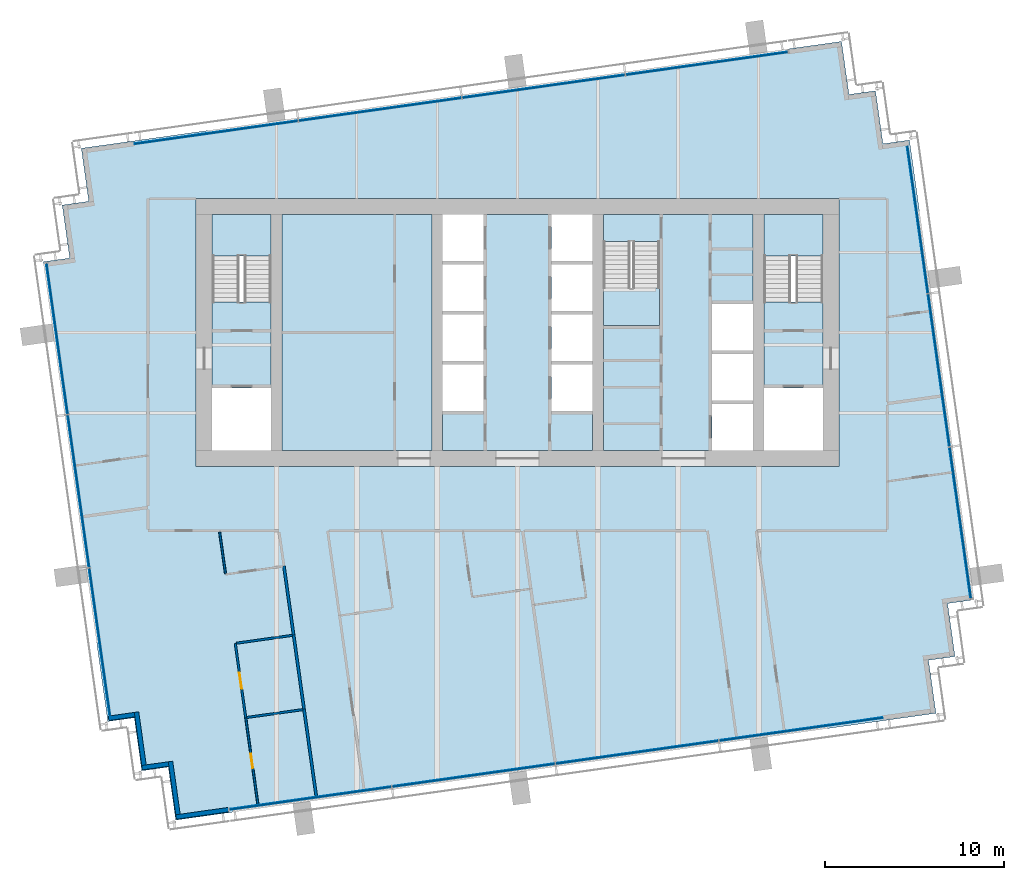
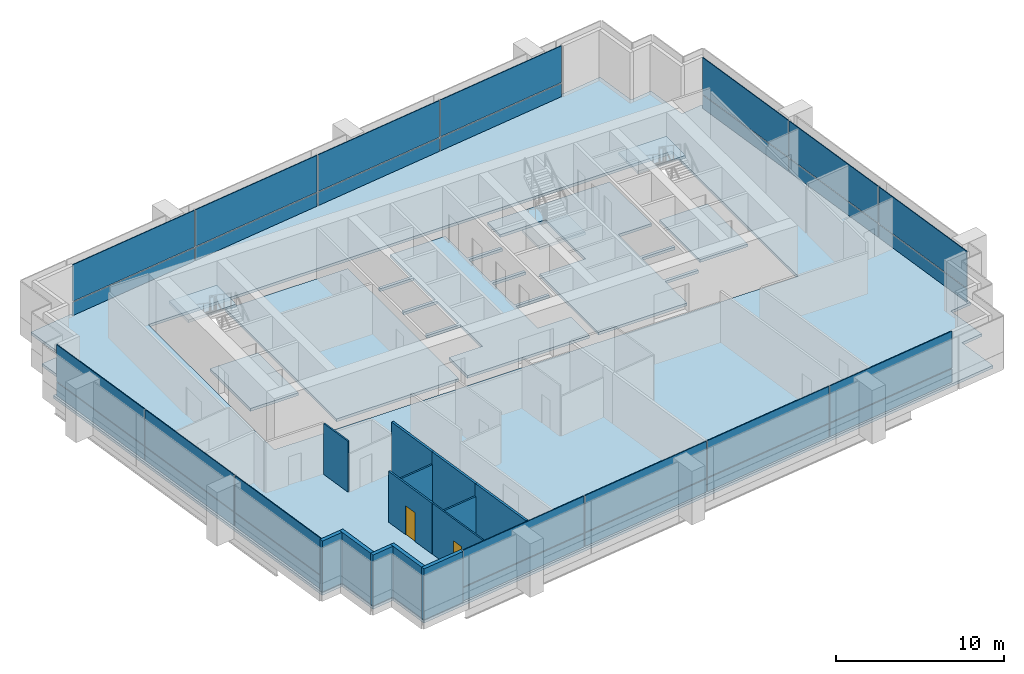
# One storey, part 7 of 15: 28 plates, 13 walls, 9 slabs, 2 doors, 2 openings, 7 elements without a shape of their own.
"""IFC4 building model written with IfcOpenShell, lengths in metres."""

from ifc_helpers import new_model, si_unit, direction, frame, frame_2d, origin, origin_2d, place, context, subcontext, project, spatial, polyline, rectangle, outline, extrude, material, layer, layer_set, type_object, element, fill, aggregate, save


model = new_model("IFC4")

# Units and contexts
model_context = context("Model", 3, precision=1e-05, world=origin(), true_north=direction((0.0, 1.0)))
body_context = subcontext(model_context, "Body", "Model", "MODEL_VIEW")
ifc_project = project(units=[si_unit("LENGTHUNIT", "METRE"), si_unit("AREAUNIT", "SQUARE_METRE"), si_unit("VOLUMEUNIT", "CUBIC_METRE"), si_unit("PLANEANGLEUNIT", "RADIAN"), si_unit("MASSUNIT", "GRAM", prefix="KILO")], contexts=[model_context])

# Site, building, storey
site_placement = place(None, origin())
site = spatial("IfcSite", under=ifc_project, at=site_placement, CompositionType="ELEMENT")
building_placement = place(site_placement, origin())
building = spatial("IfcBuilding", under=site, at=building_placement, Name="Rattan Terrace Tower", CompositionType="ELEMENT")
storey_placement = place(building_placement, frame((0.0, 0.0, 274.60009765625)))
storey = spatial("IfcBuildingStorey", under=building, at=storey_placement, Name="L63", CompositionType="ELEMENT", Elevation=274.60009765625)

# Stair, slab
ifc_material_1 = material(Name="Concrete C40/50", Category="concrete")
stair_type = type_object("IfcStairType", Name="Core exit stair 1500", PredefinedType="HALF_TURN_STAIR", material=ifc_material_1)
stair_1_placement = place(storey_placement, origin())
stair_1 = element("IfcStair", 1, at=stair_1_placement, inside=storey, type_object=stair_type, Name="L63 exit stair 1", PredefinedType="HALF_TURN_STAIR")
ifc_material_2 = material(Name="Concrete C40/50", Category="concrete")
ifc_layer_1 = layer(ifc_material_2, 0.199951171875)
ifc_layer_set_1 = layer_set([ifc_layer_1], Name="Core exit stair landing")
slab_type_1 = type_object("IfcSlabType", Name="Core exit stair landing", PredefinedType="LANDING", material=ifc_layer_set_1)
slab_1_placement = place(storey_placement, frame((0.0, 0.0, 1.75)))
slab_1 = element("IfcSlab", 2, at=slab_1_placement, type_object=slab_type_1, Name="S1 landing 1", PredefinedType="LANDING", context=body_context, shape_type="SweptSolid", body=[
    extrude(outline(polyline([(-13.800048828125, 4.300048828125), (-13.800048828125, 6.60009765625), (-17.10009765625, 6.60009765625), (-17.10009765625, 4.300048828125), (-13.800048828125, 4.300048828125)])), origin(), (0.0, 0.0, 1.0), 0.199951171875),
])
aggregate(stair_1, [slab_1])

stair_2_placement = place(storey_placement, origin())
stair_2 = element("IfcStair", 3, at=stair_2_placement, inside=storey, type_object=stair_type, Name="L63 exit stair 2", PredefinedType="HALF_TURN_STAIR")
slab_2_placement = place(storey_placement, frame((0.0, 0.0, 1.75)))
slab_2 = element("IfcSlab", 4, at=slab_2_placement, type_object=slab_type_1, Name="S2 landing 1", PredefinedType="LANDING", context=body_context, shape_type="SweptSolid", body=[
    extrude(outline(polyline([(17.10009765625, 4.300048828125), (17.10009765625, 6.60009765625), (13.800048828125, 6.60009765625), (13.800048828125, 4.300048828125), (17.10009765625, 4.300048828125)])), origin(), (0.0, 0.0, 1.0), 0.199951171875),
])
aggregate(stair_2, [slab_2])

stair_3_placement = place(storey_placement, origin())
stair_3 = element("IfcStair", 5, at=stair_3_placement, inside=storey, type_object=stair_type, Name="L63 exit stair 3", PredefinedType="HALF_TURN_STAIR")
slab_3_placement = place(storey_placement, frame((0.0, 0.0, 1.75)))
slab_3 = element("IfcSlab", 6, at=slab_3_placement, type_object=slab_type_1, Name="S3 landing 1", PredefinedType="LANDING", context=body_context, shape_type="SweptSolid", body=[
    extrude(outline(polyline([(4.800048828125, 2.5), (4.800048828125, 0.39990234375), (7.949951171875, 0.39990234375), (7.949951171875, 2.5), (4.800048828125, 2.5)])), origin(), (0.0, 0.0, 1.0), 0.199951171875),
])
aggregate(stair_3, [slab_3])

# Slabs
ifc_material_3 = material(Name="Concrete C35/45", Category="concrete")
ifc_layer_2 = layer(ifc_material_3, 0.199951171875)
ifc_layer_set_2 = layer_set([ifc_layer_2], Name="Frame composite floor slab 200")
slab_type_2 = type_object("IfcSlabType", Name="Frame composite floor slab 200", PredefinedType="FLOOR", material=ifc_layer_set_2)
slab_4_placement = place(storey_placement, frame((0.0, 0.0, -0.2001953125)))
element("IfcSlab", 7, at=slab_4_placement, inside=storey, type_object=slab_type_2, Name="Floor slab", PredefinedType="FLOOR", context=body_context, shape_type="SweptSolid", body=[
    extrude(outline(polyline([(-16.176025390625, -26.889892578125), (20.464111328125, -21.739990234375), (23.43505859375, -21.322998046875), (23.01806640625, -18.35205078125), (24.5029296875, -18.14306640625), (24.0849609375, -15.173095703125), (25.571044921875, -14.964111328125), (21.951904296875, 10.782958984375), (20.467041015625, 10.573974609375), (20.049072265625, 13.544921875), (18.56396484375, 13.3369140625), (18.14599609375, 16.306884765625), (15.176025390625, 15.889892578125), (-21.464111328125, 10.739990234375), (-24.43505859375, 10.322998046875), (-24.01806640625, 7.35205078125), (-25.5029296875, 7.14306640625), (-25.0849609375, 4.173095703125), (-26.571044921875, 3.964111328125), (-22.951904296875, -21.782958984375), (-21.467041015625, -21.573974609375), (-21.049072265625, -24.544921875), (-19.56396484375, -24.3369140625), (-19.14599609375, -27.306884765625), (-16.176025390625, -26.889892578125)]), holes=[polyline([(-18.0, -7.5), (18.0, -7.5), (18.0, -6.60009765625), (18.0, 6.60009765625), (18.0, 7.5), (-18.0, 7.5), (-18.0, 6.60009765625), (-18.0, -6.60009765625), (-18.0, -7.5)])]), origin(), (0.0, 0.0, 1.0), 0.2001953125),
])
slab_5_placement = place(storey_placement, frame((0.0, 0.0, -0.2001953125)))
element("IfcSlab", 8, at=slab_5_placement, inside=storey, type_object=slab_type_2, Name="Floor slab", PredefinedType="FLOOR", context=body_context, shape_type="SweptSolid", body=[
    extrude(outline(polyline([(13.199951171875, 6.60009765625), (4.800048828125, 6.60009765625), (4.800048828125, 5.090087890625), (7.949951171875, 5.090087890625), (7.949951171875, 0.39990234375), (4.800048828125, 0.39990234375), (4.800048828125, -6.60009765625), (10.89990234375, -6.60009765625), (10.89990234375, -4.0), (13.199951171875, -4.0), (13.199951171875, -3.800048828125), (10.89990234375, -3.800048828125), (10.89990234375, -1.199951171875), (13.199951171875, -1.199951171875), (13.199951171875, -1.0), (10.89990234375, -1.0), (10.89990234375, 1.60009765625), (13.199951171875, 1.60009765625), (13.199951171875, 6.60009765625)])), origin(), (0.0, 0.0, 1.0), 0.2001953125),
])
slab_6_placement = place(storey_placement, frame((0.0, 0.0, -0.2001953125)))
element("IfcSlab", 9, at=slab_6_placement, inside=storey, type_object=slab_type_2, Name="Floor slab", PredefinedType="FLOOR", context=body_context, shape_type="SweptSolid", body=[
    extrude(outline(polyline([(1.89990234375, 6.60009765625), (-1.89990234375, 6.60009765625), (-1.89990234375, 4.0), (-4.199951171875, 4.0), (-4.199951171875, 3.800048828125), (-1.89990234375, 3.800048828125), (-1.89990234375, 1.199951171875), (-4.199951171875, 1.199951171875), (-4.199951171875, 1.0), (-1.89990234375, 1.0), (-1.89990234375, -1.60009765625), (-4.199951171875, -1.60009765625), (-4.199951171875, -1.800048828125), (-1.89990234375, -1.800048828125), (-1.89990234375, -4.39990234375), (-4.199951171875, -4.39990234375), (-4.199951171875, -6.60009765625), (4.199951171875, -6.60009765625), (4.199951171875, -4.39990234375), (1.89990234375, -4.39990234375), (1.89990234375, -1.800048828125), (4.199951171875, -1.800048828125), (4.199951171875, -1.60009765625), (1.89990234375, -1.60009765625), (1.89990234375, 1.0), (4.199951171875, 1.0), (4.199951171875, 1.199951171875), (1.89990234375, 1.199951171875), (1.89990234375, 3.800048828125), (4.199951171875, 3.800048828125), (4.199951171875, 4.0), (1.89990234375, 4.0), (1.89990234375, 6.60009765625)])), origin(), (0.0, 0.0, 1.0), 0.2001953125),
])
slab_7_placement = place(storey_placement, frame((0.0, 0.0, -0.2001953125)))
element("IfcSlab", 10, at=slab_7_placement, inside=storey, type_object=slab_type_2, Name="Floor slab", PredefinedType="FLOOR", context=body_context, shape_type="SweptSolid", body=[
    extrude(outline(polyline([(-17.10009765625, -3.10009765625), (-13.800048828125, -3.10009765625), (-13.800048828125, 1.7099609375), (-17.10009765625, 1.7099609375), (-17.10009765625, -3.10009765625)])), origin(), (0.0, 0.0, 1.0), 0.2001953125),
])
slab_8_placement = place(storey_placement, frame((0.0, 0.0, -0.2001953125)))
element("IfcSlab", 11, at=slab_8_placement, inside=storey, type_object=slab_type_2, Name="Floor slab", PredefinedType="FLOOR", context=body_context, shape_type="SweptSolid", body=[
    extrude(outline(polyline([(-4.800048828125, -6.60009765625), (-4.800048828125, 6.60009765625), (-13.199951171875, 6.60009765625), (-13.199951171875, -6.60009765625), (-4.800048828125, -6.60009765625)])), origin(), (0.0, 0.0, 1.0), 0.2001953125),
])
slab_9_placement = place(storey_placement, frame((0.0, 0.0, -0.2001953125)))
element("IfcSlab", 12, at=slab_9_placement, inside=storey, type_object=slab_type_2, Name="Floor slab", PredefinedType="FLOOR", context=body_context, shape_type="SweptSolid", body=[
    extrude(outline(polyline([(13.800048828125, -3.10009765625), (17.10009765625, -3.10009765625), (17.10009765625, 1.7099609375), (13.800048828125, 1.7099609375), (13.800048828125, -3.10009765625)])), origin(), (0.0, 0.0, 1.0), 0.2001953125),
])

# Curtain wall, plates
ifc_material_4 = material(Name="Aluminium and laminated glass", Category="aluminium")
ifc_layer_3 = layer(ifc_material_4, 0.199951171875)
ifc_layer_set_3 = layer_set([ifc_layer_3], Name="High-Zone Unitised Curtain Wall")
curtain_wall_type = type_object("IfcCurtainWallType", Name="High-Zone Unitised Curtain Wall", PredefinedType="NOTDEFINED", material=ifc_layer_set_3)
curtain_wall_1_placement = place(storey_placement, origin())
curtain_wall_1 = element("IfcCurtainWall", 13, at=curtain_wall_1_placement, inside=storey, type_object=curtain_wall_type, Name="High-zone curtain wall L63-1", PredefinedType="NOTDEFINED")
ifc_material_5 = material(Name="Aluminium insulated spandrel panel", Category="aluminium")
ifc_layer_4 = layer(ifc_material_5, 0.050048828125)
ifc_layer_set_4 = layer_set([ifc_layer_4], Name="High-Zone CW Spandrel Panel")
plate_type_1 = type_object("IfcPlateType", Name="High-Zone CW Spandrel Panel", PredefinedType="CURTAIN_PANEL", material=ifc_layer_set_4)
plate_1_placement = place(storey_placement, frame((24.7939453125, -10.65673828125, 0.0), z_axis=(0.0, 0.0, 1.0), x_axis=(-0.139191775431, 0.990265444036, 0.0)))
plate_1 = element("IfcPlate", 14, at=plate_1_placement, type_object=plate_type_1, Name="Panel cwl-L63-001.1.1", PredefinedType="CURTAIN_PANEL", context=body_context, shape_type="SweptSolid", body=[
    extrude(rectangle(XDim=8.51708984375, YDim=0.050048828125, at=origin_2d()), origin(), (0.0, 0.0, 1.0), 0.965087890625),
])
plate_2_placement = place(storey_placement, frame((23.593017578125, -2.11376953125, 0.0), z_axis=(0.0, 0.0, 1.0), x_axis=(-0.139191775431, 0.990265444036, 0.0)))
plate_2 = element("IfcPlate", 15, at=plate_2_placement, type_object=plate_type_1, Name="Panel cwl-L63-001.2.1", PredefinedType="CURTAIN_PANEL", context=body_context, shape_type="SweptSolid", body=[
    extrude(rectangle(XDim=8.596923828125, YDim=0.050048828125, at=origin_2d()), origin(), (0.0, 0.0, 1.0), 0.965087890625),
])
plate_3_placement = place(storey_placement, frame((22.40478515625, 6.339599609375, 0.0), z_axis=(0.0, 0.0, 1.0), x_axis=(-0.139191775431, 0.990265444036, 0.0)))
plate_3 = element("IfcPlate", 16, at=plate_3_placement, type_object=plate_type_1, Name="Panel cwl-L63-001.3.1", PredefinedType="CURTAIN_PANEL", context=body_context, shape_type="SweptSolid", body=[
    extrude(rectangle(XDim=8.336181640625, YDim=0.050048828125, at=origin_2d()), origin(), (0.0, 0.0, 1.0), 0.965087890625),
])

curtain_wall_2_placement = place(storey_placement, origin())
curtain_wall_2 = element("IfcCurtainWall", 17, at=curtain_wall_2_placement, inside=storey, type_object=curtain_wall_type, Name="High-zone curtain wall L63-2", PredefinedType="NOTDEFINED")
plate_4_placement = place(storey_placement, frame((10.602783203125, 15.075439453125, 0.0), z_axis=(0.0, 0.0, 1.0), x_axis=(-0.990265894013, -0.139188574079, 0.0)))
plate_4 = element("IfcPlate", 18, at=plate_4_placement, type_object=plate_type_1, Name="Panel cwl-L63-002.1.1", PredefinedType="CURTAIN_PANEL", context=body_context, shape_type="SweptSolid", body=[
    extrude(rectangle(XDim=9.14404296875, YDim=0.050048828125, at=origin_2d()), origin(), (0.0, 0.0, 1.0), 0.965087890625),
])
plate_5_placement = place(storey_placement, frame((1.461181640625, 13.79052734375, 0.0), z_axis=(0.0, 0.0, 1.0), x_axis=(-0.990265894013, -0.139188574079, 0.0)))
plate_5 = element("IfcPlate", 19, at=plate_5_placement, type_object=plate_type_1, Name="Panel cwl-L63-002.2.1", PredefinedType="CURTAIN_PANEL", context=body_context, shape_type="SweptSolid", body=[
    extrude(rectangle(XDim=9.178955078125, YDim=0.050048828125, at=origin_2d()), origin(), (0.0, 0.0, 1.0), 0.965087890625),
])
plate_6_placement = place(storey_placement, frame((-7.69775390625, 12.503173828125, 0.0), z_axis=(0.0, 0.0, 1.0), x_axis=(-0.990265894013, -0.139188574079, 0.0)))
plate_6 = element("IfcPlate", 20, at=plate_6_placement, type_object=plate_type_1, Name="Panel cwl-L63-002.3.1", PredefinedType="CURTAIN_PANEL", context=body_context, shape_type="SweptSolid", body=[
    extrude(rectangle(XDim=9.178955078125, YDim=0.050048828125, at=origin_2d()), origin(), (0.0, 0.0, 1.0), 0.965087890625),
])
plate_7_placement = place(storey_placement, frame((-16.876220703125, 11.213134765625, 0.0), z_axis=(0.0, 0.0, 1.0), x_axis=(-0.990265894013, -0.139188574079, 0.0)))
plate_7 = element("IfcPlate", 21, at=plate_7_placement, type_object=plate_type_1, Name="Panel cwl-L63-002.4.1", PredefinedType="CURTAIN_PANEL", context=body_context, shape_type="SweptSolid", body=[
    extrude(rectangle(XDim=9.21826171875, YDim=0.050048828125, at=origin_2d()), origin(), (0.0, 0.0, 1.0), 0.965087890625),
])

curtain_wall_3_placement = place(storey_placement, origin())
curtain_wall_3 = element("IfcCurtainWall", 22, at=curtain_wall_3_placement, inside=storey, type_object=curtain_wall_type, Name="High-zone curtain wall L63-3", PredefinedType="NOTDEFINED")
plate_8_placement = place(storey_placement, frame((-25.7939453125, -0.34326171875, 0.0), z_axis=(0.0, 0.0, 1.0), x_axis=(0.139191775431, -0.990265444036, 0.0)))
plate_8 = element("IfcPlate", 23, at=plate_8_placement, type_object=plate_type_1, Name="Panel cwl-L63-003.1.1", PredefinedType="CURTAIN_PANEL", context=body_context, shape_type="SweptSolid", body=[
    extrude(rectangle(XDim=8.51708984375, YDim=0.050048828125, at=origin_2d()), origin(), (0.0, 0.0, 1.0), 0.965087890625),
])
plate_9_placement = place(storey_placement, frame((-24.593017578125, -8.88623046875, 0.0), z_axis=(0.0, 0.0, 1.0), x_axis=(0.139191775431, -0.990265444036, 0.0)))
plate_9 = element("IfcPlate", 24, at=plate_9_placement, type_object=plate_type_1, Name="Panel cwl-L63-003.2.1", PredefinedType="CURTAIN_PANEL", context=body_context, shape_type="SweptSolid", body=[
    extrude(rectangle(XDim=8.596923828125, YDim=0.050048828125, at=origin_2d()), origin(), (0.0, 0.0, 1.0), 0.965087890625),
])
plate_10_placement = place(storey_placement, frame((-23.40478515625, -17.339599609375, 0.0), z_axis=(0.0, 0.0, 1.0), x_axis=(0.139191775431, -0.990265444036, 0.0)))
plate_10 = element("IfcPlate", 25, at=plate_10_placement, type_object=plate_type_1, Name="Panel cwl-L63-003.3.1", PredefinedType="CURTAIN_PANEL", context=body_context, shape_type="SweptSolid", body=[
    extrude(rectangle(XDim=8.336181640625, YDim=0.050048828125, at=origin_2d()), origin(), (0.0, 0.0, 1.0), 0.965087890625),
])

curtain_wall_4_placement = place(storey_placement, origin())
curtain_wall_4 = element("IfcCurtainWall", 26, at=curtain_wall_4_placement, inside=storey, type_object=curtain_wall_type, Name="High-zone curtain wall L63-4", PredefinedType="NOTDEFINED")
plate_11_placement = place(storey_placement, frame((-11.602783203125, -26.075439453125, 0.0), z_axis=(0.0, 0.0, 1.0), x_axis=(0.990265894013, 0.139188574079, 0.0)))
plate_11 = element("IfcPlate", 27, at=plate_11_placement, type_object=plate_type_1, Name="Panel cwl-L63-004.1.1", PredefinedType="CURTAIN_PANEL", context=body_context, shape_type="SweptSolid", body=[
    extrude(rectangle(XDim=9.14404296875, YDim=0.050048828125, at=origin_2d()), origin(), (0.0, 0.0, 1.0), 0.965087890625),
])
plate_12_placement = place(storey_placement, frame((-2.461181640625, -24.79052734375, 0.0), z_axis=(0.0, 0.0, 1.0), x_axis=(0.990265894013, 0.139188574079, 0.0)))
plate_12 = element("IfcPlate", 28, at=plate_12_placement, type_object=plate_type_1, Name="Panel cwl-L63-004.2.1", PredefinedType="CURTAIN_PANEL", context=body_context, shape_type="SweptSolid", body=[
    extrude(rectangle(XDim=9.178955078125, YDim=0.050048828125, at=origin_2d()), origin(), (0.0, 0.0, 1.0), 0.965087890625),
])
plate_13_placement = place(storey_placement, frame((6.69775390625, -23.503173828125, 0.0), z_axis=(0.0, 0.0, 1.0), x_axis=(0.990265894013, 0.139188574079, 0.0)))
plate_13 = element("IfcPlate", 29, at=plate_13_placement, type_object=plate_type_1, Name="Panel cwl-L63-004.3.1", PredefinedType="CURTAIN_PANEL", context=body_context, shape_type="SweptSolid", body=[
    extrude(rectangle(XDim=9.178955078125, YDim=0.050048828125, at=origin_2d()), origin(), (0.0, 0.0, 1.0), 0.965087890625),
])
plate_14_placement = place(storey_placement, frame((15.876220703125, -22.213134765625, 0.0), z_axis=(0.0, 0.0, 1.0), x_axis=(0.990265894013, 0.139188574079, 0.0)))
plate_14 = element("IfcPlate", 30, at=plate_14_placement, type_object=plate_type_1, Name="Panel cwl-L63-004.4.1", PredefinedType="CURTAIN_PANEL", context=body_context, shape_type="SweptSolid", body=[
    extrude(rectangle(XDim=9.21826171875, YDim=0.050048828125, at=origin_2d()), origin(), (0.0, 0.0, 1.0), 0.965087890625),
])

# Plate
ifc_material_6 = material(Name="Laminated low-iron glass", Category="glass")
ifc_layer_5 = layer(ifc_material_6, 0.055908203125)
ifc_layer_set_5 = layer_set([ifc_layer_5], Name="High-Zone CW Vision Panel")
plate_type_2 = type_object("IfcPlateType", Name="High-Zone CW Vision Panel", PredefinedType="CURTAIN_PANEL", material=ifc_layer_set_5)
plate_15_placement = place(storey_placement, frame((24.7939453125, -10.65673828125, 1.034912109375), z_axis=(0.0, 0.0, 1.0), x_axis=(-0.139191775431, 0.990265444036, 0.0)))
plate_15 = element("IfcPlate", 31, at=plate_15_placement, type_object=plate_type_2, Name="Panel cwl-L63-001.1.2", PredefinedType="CURTAIN_PANEL", context=body_context, shape_type="SweptSolid", body=[
    extrude(rectangle(XDim=8.51708984375, YDim=0.055908203125, at=origin_2d()), origin(), (0.0, 0.0, 1.0), 2.6650390625),
])

plate_16_placement = place(storey_placement, frame((23.593017578125, -2.11376953125, 1.034912109375), z_axis=(0.0, 0.0, 1.0), x_axis=(-0.139191775431, 0.990265444036, 0.0)))
plate_16 = element("IfcPlate", 32, at=plate_16_placement, type_object=plate_type_2, Name="Panel cwl-L63-001.2.2", PredefinedType="CURTAIN_PANEL", context=body_context, shape_type="SweptSolid", body=[
    extrude(rectangle(XDim=8.596923828125, YDim=0.055908203125, at=origin_2d()), origin(), (0.0, 0.0, 1.0), 2.6650390625),
])

plate_17_placement = place(storey_placement, frame((22.40478515625, 6.339599609375, 1.034912109375), z_axis=(0.0, 0.0, 1.0), x_axis=(-0.139191775431, 0.990265444036, 0.0)))
plate_17 = element("IfcPlate", 33, at=plate_17_placement, type_object=plate_type_2, Name="Panel cwl-L63-001.3.2", PredefinedType="CURTAIN_PANEL", context=body_context, shape_type="SweptSolid", body=[
    extrude(rectangle(XDim=8.336181640625, YDim=0.055908203125, at=origin_2d()), origin(), (0.0, 0.0, 1.0), 2.6650390625),
])

aggregate(curtain_wall_1, [plate_1, plate_15, plate_2, plate_16, plate_3, plate_17])

plate_18_placement = place(storey_placement, frame((10.602783203125, 15.075439453125, 1.034912109375), z_axis=(0.0, 0.0, 1.0), x_axis=(-0.990265894013, -0.139188574079, 0.0)))
plate_18 = element("IfcPlate", 34, at=plate_18_placement, type_object=plate_type_2, Name="Panel cwl-L63-002.1.2", PredefinedType="CURTAIN_PANEL", context=body_context, shape_type="SweptSolid", body=[
    extrude(rectangle(XDim=9.14404296875, YDim=0.055908203125, at=origin_2d()), origin(), (0.0, 0.0, 1.0), 2.6650390625),
])

plate_19_placement = place(storey_placement, frame((1.461181640625, 13.79052734375, 1.034912109375), z_axis=(0.0, 0.0, 1.0), x_axis=(-0.990265894013, -0.139188574079, 0.0)))
plate_19 = element("IfcPlate", 35, at=plate_19_placement, type_object=plate_type_2, Name="Panel cwl-L63-002.2.2", PredefinedType="CURTAIN_PANEL", context=body_context, shape_type="SweptSolid", body=[
    extrude(rectangle(XDim=9.178955078125, YDim=0.055908203125, at=origin_2d()), origin(), (0.0, 0.0, 1.0), 2.6650390625),
])

plate_20_placement = place(storey_placement, frame((-7.69775390625, 12.503173828125, 1.034912109375), z_axis=(0.0, 0.0, 1.0), x_axis=(-0.990265894013, -0.139188574079, 0.0)))
plate_20 = element("IfcPlate", 36, at=plate_20_placement, type_object=plate_type_2, Name="Panel cwl-L63-002.3.2", PredefinedType="CURTAIN_PANEL", context=body_context, shape_type="SweptSolid", body=[
    extrude(rectangle(XDim=9.178955078125, YDim=0.055908203125, at=origin_2d()), origin(), (0.0, 0.0, 1.0), 2.6650390625),
])

plate_21_placement = place(storey_placement, frame((-16.876220703125, 11.213134765625, 1.034912109375), z_axis=(0.0, 0.0, 1.0), x_axis=(-0.990265894013, -0.139188574079, 0.0)))
plate_21 = element("IfcPlate", 37, at=plate_21_placement, type_object=plate_type_2, Name="Panel cwl-L63-002.4.2", PredefinedType="CURTAIN_PANEL", context=body_context, shape_type="SweptSolid", body=[
    extrude(rectangle(XDim=9.21826171875, YDim=0.055908203125, at=origin_2d()), origin(), (0.0, 0.0, 1.0), 2.6650390625),
])

aggregate(curtain_wall_2, [plate_4, plate_18, plate_5, plate_19, plate_6, plate_20, plate_7, plate_21])

plate_22_placement = place(storey_placement, frame((-25.7939453125, -0.34326171875, 1.034912109375), z_axis=(0.0, 0.0, 1.0), x_axis=(0.139191775431, -0.990265444036, 0.0)))
plate_22 = element("IfcPlate", 38, at=plate_22_placement, type_object=plate_type_2, Name="Panel cwl-L63-003.1.2", PredefinedType="CURTAIN_PANEL", context=body_context, shape_type="SweptSolid", body=[
    extrude(rectangle(XDim=8.51708984375, YDim=0.055908203125, at=origin_2d()), origin(), (0.0, 0.0, 1.0), 2.6650390625),
])

plate_23_placement = place(storey_placement, frame((-24.593017578125, -8.88623046875, 1.034912109375), z_axis=(0.0, 0.0, 1.0), x_axis=(0.139191775431, -0.990265444036, 0.0)))
plate_23 = element("IfcPlate", 39, at=plate_23_placement, type_object=plate_type_2, Name="Panel cwl-L63-003.2.2", PredefinedType="CURTAIN_PANEL", context=body_context, shape_type="SweptSolid", body=[
    extrude(rectangle(XDim=8.596923828125, YDim=0.055908203125, at=origin_2d()), origin(), (0.0, 0.0, 1.0), 2.6650390625),
])

plate_24_placement = place(storey_placement, frame((-23.40478515625, -17.339599609375, 1.034912109375), z_axis=(0.0, 0.0, 1.0), x_axis=(0.139191775431, -0.990265444036, 0.0)))
plate_24 = element("IfcPlate", 40, at=plate_24_placement, type_object=plate_type_2, Name="Panel cwl-L63-003.3.2", PredefinedType="CURTAIN_PANEL", context=body_context, shape_type="SweptSolid", body=[
    extrude(rectangle(XDim=8.336181640625, YDim=0.055908203125, at=origin_2d()), origin(), (0.0, 0.0, 1.0), 2.6650390625),
])

aggregate(curtain_wall_3, [plate_8, plate_22, plate_9, plate_23, plate_10, plate_24])

plate_25_placement = place(storey_placement, frame((-11.602783203125, -26.075439453125, 1.034912109375), z_axis=(0.0, 0.0, 1.0), x_axis=(0.990265894013, 0.139188574079, 0.0)))
plate_25 = element("IfcPlate", 41, at=plate_25_placement, type_object=plate_type_2, Name="Panel cwl-L63-004.1.2", PredefinedType="CURTAIN_PANEL", context=body_context, shape_type="SweptSolid", body=[
    extrude(rectangle(XDim=9.14404296875, YDim=0.055908203125, at=origin_2d()), origin(), (0.0, 0.0, 1.0), 2.6650390625),
])

plate_26_placement = place(storey_placement, frame((-2.461181640625, -24.79052734375, 1.034912109375), z_axis=(0.0, 0.0, 1.0), x_axis=(0.990265894013, 0.139188574079, 0.0)))
plate_26 = element("IfcPlate", 42, at=plate_26_placement, type_object=plate_type_2, Name="Panel cwl-L63-004.2.2", PredefinedType="CURTAIN_PANEL", context=body_context, shape_type="SweptSolid", body=[
    extrude(rectangle(XDim=9.178955078125, YDim=0.055908203125, at=origin_2d()), origin(), (0.0, 0.0, 1.0), 2.6650390625),
])

plate_27_placement = place(storey_placement, frame((6.69775390625, -23.503173828125, 1.034912109375), z_axis=(0.0, 0.0, 1.0), x_axis=(0.990265894013, 0.139188574079, 0.0)))
plate_27 = element("IfcPlate", 43, at=plate_27_placement, type_object=plate_type_2, Name="Panel cwl-L63-004.3.2", PredefinedType="CURTAIN_PANEL", context=body_context, shape_type="SweptSolid", body=[
    extrude(rectangle(XDim=9.178955078125, YDim=0.055908203125, at=origin_2d()), origin(), (0.0, 0.0, 1.0), 2.6650390625),
])

plate_28_placement = place(storey_placement, frame((15.876220703125, -22.213134765625, 1.034912109375), z_axis=(0.0, 0.0, 1.0), x_axis=(0.990265894013, 0.139188574079, 0.0)))
plate_28 = element("IfcPlate", 44, at=plate_28_placement, type_object=plate_type_2, Name="Panel cwl-L63-004.4.2", PredefinedType="CURTAIN_PANEL", context=body_context, shape_type="SweptSolid", body=[
    extrude(rectangle(XDim=9.21826171875, YDim=0.055908203125, at=origin_2d()), origin(), (0.0, 0.0, 1.0), 2.6650390625),
])

aggregate(curtain_wall_4, [plate_11, plate_25, plate_12, plate_26, plate_13, plate_27, plate_14, plate_28])

# Walls
ifc_material_7 = material(Name="Insulated aluminium-clad stud wall", Category="aluminium")
ifc_layer_6 = layer(ifc_material_7, 0.25)
ifc_layer_set_6 = layer_set([ifc_layer_6], Name="Facade Riser Wall 250")
wall_type_1 = type_object("IfcWallType", Name="Facade Riser Wall 250", PredefinedType="SOLIDWALL", material=ifc_layer_set_6)
wall_1_placement = place(storey_placement, frame((-22.90625, -21.60498046875, 0.0), z_axis=(0.0, 0.0, 1.0), x_axis=(0.990235520307, 0.13940449893, 0.0)))
element("IfcWall", 45, at=wall_1_placement, inside=storey, type_object=wall_type_1, Name="Riser wall L63-16", PredefinedType="SOLIDWALL", context=body_context, shape_type="SweptSolid", body=[
    extrude(rectangle(XDim=1.474609375, YDim=0.25, at=frame_2d((0.7373046875, 0.0))), origin(), (0.0, 0.0, 1.0), 3.699951171875),
])
wall_2_placement = place(storey_placement, frame((-21.33984375, -21.25830078125, 0.0), z_axis=(0.0, 0.0, 1.0), x_axis=(0.139393225799, -0.990237107263, 0.0)))
element("IfcWall", 46, at=wall_2_placement, inside=storey, type_object=wall_type_1, Name="Riser wall L63-17", PredefinedType="SOLIDWALL", context=body_context, shape_type="SweptSolid", body=[
    extrude(rectangle(XDim=3.000244140625, YDim=0.25, at=frame_2d((1.5, 0.0))), origin(), (0.0, 0.0, 1.0), 3.699951171875),
])
wall_3_placement = place(storey_placement, frame((-21.028076171875, -24.370361328125, 0.0), z_axis=(0.0, 0.0, 1.0), x_axis=(0.990330117064, 0.138730887823, 0.0)))
element("IfcWall", 47, at=wall_3_placement, inside=storey, type_object=wall_type_1, Name="Riser wall L63-18", PredefinedType="SOLIDWALL", context=body_context, shape_type="SweptSolid", body=[
    extrude(rectangle(XDim=1.499267578125, YDim=0.25, at=frame_2d((0.74951171875, 0.0))), origin(), (0.0, 0.0, 1.0), 3.699951171875),
])
wall_4_placement = place(storey_placement, frame((-19.436767578125, -24.021240234375, 0.0), z_axis=(0.0, 0.0, 1.0), x_axis=(0.139358350296, -0.990242015975, 0.0)))
element("IfcWall", 48, at=wall_4_placement, inside=storey, type_object=wall_type_1, Name="Riser wall L63-19", PredefinedType="SOLIDWALL", context=body_context, shape_type="SweptSolid", body=[
    extrude(rectangle(XDim=2.999267578125, YDim=0.25, at=frame_2d((1.49951171875, 0.0))), origin(), (0.0, 0.0, 1.0), 3.699951171875),
])
wall_5_placement = place(storey_placement, frame((-19.125244140625, -27.13232421875, 0.0), z_axis=(0.0, 0.0, 1.0), x_axis=(0.990291981483, 0.139002846771, 0.0)))
element("IfcWall", 49, at=wall_5_placement, inside=storey, type_object=wall_type_1, Name="Riser wall L63-20", PredefinedType="SOLIDWALL", context=body_context, shape_type="SweptSolid", body=[
    extrude(rectangle(XDim=2.9541015625, YDim=0.25, at=frame_2d((1.47705078125, 0.0))), origin(), (0.0, 0.0, 1.0), 3.699951171875),
])

# Wall, opening, door
ifc_material_8 = material(Name="Gypsum board partition on steel studs", Category="steel")
ifc_layer_7 = layer(ifc_material_8, 0.10009765625)
ifc_layer_set_7 = layer_set([ifc_layer_7], Name="Floors Partition 100")
wall_type_2 = type_object("IfcWallType", Name="Floors Partition 100", PredefinedType="PARTITIONING", material=ifc_layer_set_7)
wall_6_placement = place(storey_placement, frame((-15.221923828125, -21.5859375, 0.0), z_axis=(0.0, 0.0, 1.0), x_axis=(0.139120882778, -0.990275406124, 0.0)))
wall_6 = element("IfcWall", 50, at=wall_6_placement, inside=storey, type_object=wall_type_2, Name="pt-L63-026", PredefinedType="PARTITIONING", context=body_context, shape_type="SweptSolid", body=[
    extrude(rectangle(XDim=4.859375, YDim=0.10009765625, at=frame_2d((2.4296875, 0.0))), origin(), (0.0, 0.0, 1.0), 3.699951171875),
])
opening_1_placement = place(wall_6_placement, frame((2.030029296875, 0.0, 0.0)))
opening_1 = element("IfcOpeningElement", 51, at=opening_1_placement, cuts=wall_6, Name="Opening L63-D101", PredefinedType="OPENING", context=body_context, shape_type="SweptSolid", body=[
    extrude(rectangle(XDim=0.800048828125, YDim=2.10009765625, at=frame_2d((0.39990234375, 1.050048828125))), frame((0.0, 0.060546875, 0.0), z_axis=(0.0, -1.0, 0.0), x_axis=(1.0, 0.0, 0.0)), (0.0, 0.0, 1.0), 0.12109375),
])
ifc_material_9 = material(Name="Solid core timber door, painted", Category="wood")
door_type_1 = type_object("IfcDoorType", Name="Floors Store Door 800x2100", OperationType="NOTDEFINED", PredefinedType="DOOR", material=ifc_material_9)
door_1_placement = place(opening_1_placement, origin())
door_1 = element("IfcDoor", 52, at=door_1_placement, inside=storey, type_object=door_type_1, Name="d-L63-101", OperationType="SINGLE_SWING_RIGHT", OverallHeight=2.10009765625, OverallWidth=0.800048828125, PredefinedType="DOOR", context=body_context, shape_type="SweptSolid", body=[
    extrude(rectangle(XDim=0.800048828125, YDim=2.10009765625, at=frame_2d((0.39990234375, 1.050048828125))), frame((0.0, 0.02490234375, 0.0), z_axis=(0.0, -1.0, 0.0), x_axis=(1.0, 0.0, 0.0)), (0.0, 0.0, 1.0), 0.050048828125),
])
fill(opening_1, door_1)

# Walls
wall_7_placement = place(storey_placement, frame((-16.68701171875, -11.16796875, 0.0), z_axis=(0.0, 0.0, 1.0), x_axis=(0.139560302367, -0.990213573934, 0.0)))
element("IfcWall", 53, at=wall_7_placement, inside=storey, type_object=wall_type_2, Name="pt-L63-029", PredefinedType="PARTITIONING", context=body_context, shape_type="SweptSolid", body=[
    extrude(rectangle(XDim=2.35107421875, YDim=0.10009765625, at=frame_2d((1.175537109375, 0.0))), origin(), (0.0, 0.0, 1.0), 3.699951171875),
])
ifc_material_10 = material(Name="Gypsum board partition on steel studs, fire rated", Category="steel")
ifc_layer_8 = layer(ifc_material_10, 0.14990234375)
ifc_layer_set_8 = layer_set([ifc_layer_8], Name="Floors Tenancy Wall 150")
wall_type_3 = type_object("IfcWallType", Name="Floors Tenancy Wall 150", PredefinedType="PARTITIONING", material=ifc_layer_set_8)
wall_8_placement = place(storey_placement, frame((-12.5439453125, -16.927978515625, 0.0), z_axis=(0.0, 0.0, 1.0), x_axis=(-0.139221261089, 0.990261299083, 0.0)))
element("IfcWall", 54, at=wall_8_placement, inside=storey, type_object=wall_type_3, Name="pt-L63-003", PredefinedType="PARTITIONING", context=body_context, shape_type="SweptSolid", body=[
    extrude(rectangle(XDim=3.900146484375, YDim=0.14990234375, at=frame_2d((1.9501953125, 0.0))), origin(), (0.0, 0.0, 1.0), 3.699951171875),
])
wall_9_placement = place(storey_placement, frame((-11.278076171875, -25.93896484375, 0.0), z_axis=(0.0, 0.0, 1.0), x_axis=(-0.139167797017, 0.990268814148, 0.0)))
element("IfcWall", 55, at=wall_9_placement, inside=storey, type_object=wall_type_3, Name="pt-L63-004", PredefinedType="PARTITIONING", context=body_context, shape_type="SweptSolid", body=[
    extrude(rectangle(XDim=4.899658203125, YDim=0.14990234375, at=frame_2d((2.44970703125, 0.0))), origin(), (0.0, 0.0, 1.0), 3.699951171875),
])
wall_10_placement = place(storey_placement, frame((-11.9599609375, -21.0869140625, 0.0), z_axis=(0.0, 0.0, 1.0), x_axis=(-0.139052638616, 0.990284991148, 0.0)))
element("IfcWall", 56, at=wall_10_placement, inside=storey, type_object=wall_type_3, Name="pt-L63-005", PredefinedType="PARTITIONING", context=body_context, shape_type="SweptSolid", body=[
    extrude(rectangle(XDim=4.19970703125, YDim=0.14990234375, at=frame_2d((2.099853515625, 0.0))), origin(), (0.0, 0.0, 1.0), 3.699951171875),
])

# Wall, opening, door
ifc_material_11 = material(Name="Moisture resistant gypsum board partition on steel studs with service cavity", Category="steel")
ifc_layer_9 = layer(ifc_material_11, 0.1201171875)
ifc_layer_set_9 = layer_set([ifc_layer_9], Name="Floors Wet Wall 120")
wall_type_4 = type_object("IfcWallType", Name="Floors Wet Wall 120", PredefinedType="PARTITIONING", material=ifc_layer_set_9)
wall_11_placement = place(storey_placement, frame((-15.80908203125, -17.406982421875, 0.0), z_axis=(0.0, 0.0, 1.0), x_axis=(0.139136935655, -0.99027315077, 0.0)))
wall_11 = element("IfcWall", 57, at=wall_11_placement, inside=storey, type_object=wall_type_4, Name="pt-L63-027", PredefinedType="PARTITIONING", context=body_context, shape_type="SweptSolid", body=[
    extrude(rectangle(XDim=4.219970703125, YDim=0.1201171875, at=frame_2d((2.10986328125, 0.0))), origin(), (0.0, 0.0, 1.0), 3.699951171875),
])
opening_2_placement = place(wall_11_placement, frame((1.659912109375, 0.0, 0.0)))
opening_2 = element("IfcOpeningElement", 58, at=opening_2_placement, cuts=wall_11, Name="Opening L63-D102", PredefinedType="OPENING", context=body_context, shape_type="SweptSolid", body=[
    extrude(rectangle(XDim=0.89990234375, YDim=2.10009765625, at=frame_2d((0.449951171875, 1.050048828125))), frame((0.0, 0.070556640625, 0.0), z_axis=(0.0, -1.0, 0.0), x_axis=(1.0, 0.0, 0.0)), (0.0, 0.0, 1.0), 0.14111328125),
])
ifc_material_12 = material(Name="Solid core timber door, painted", Category="wood")
door_type_2 = type_object("IfcDoorType", Name="Floors Door 900x2100", OperationType="NOTDEFINED", PredefinedType="DOOR", material=ifc_material_12)
door_2_placement = place(opening_2_placement, origin())
door_2 = element("IfcDoor", 59, at=door_2_placement, inside=storey, type_object=door_type_2, Name="d-L63-102", OperationType="SINGLE_SWING_LEFT", OverallHeight=2.10009765625, OverallWidth=0.89990234375, PredefinedType="DOOR", context=body_context, shape_type="SweptSolid", body=[
    extrude(rectangle(XDim=0.89990234375, YDim=2.10009765625, at=frame_2d((0.449951171875, 1.050048828125))), frame((0.0, 0.02490234375, 0.0), z_axis=(0.0, -1.0, 0.0), x_axis=(1.0, 0.0, 0.0)), (0.0, 0.0, 1.0), 0.050048828125),
])
fill(opening_2, door_2)

# Walls
for number, where, z_axis, x_axis, name in (
    (60, (-12.614990234375, -16.9580078125, 0.0), (0.0, 0.0, 1.0), (-0.990254086283, -0.139272555084, 0.0), "pt-L63-028"),
    (61, (-15.166015625, -21.55810546875, 0.0), (0.0, 0.0, 1.0), (0.990285967974, 0.139045681821, 0.0), "pt-L63-032"),
):
    element("IfcWall", number, at=place(storey_placement, frame(where, z_axis=z_axis, x_axis=x_axis)), inside=storey, type_object=wall_type_4, Name=name, PredefinedType="PARTITIONING", context=body_context, shape_type="SweptSolid", body=[
        extrude(rectangle(XDim=3.165771484375, YDim=0.1201171875, at=frame_2d((1.5830078125, 0.0))), origin(), (0.0, 0.0, 1.0), 2.7998046875),
    ])

save(model, "model.ifc")
